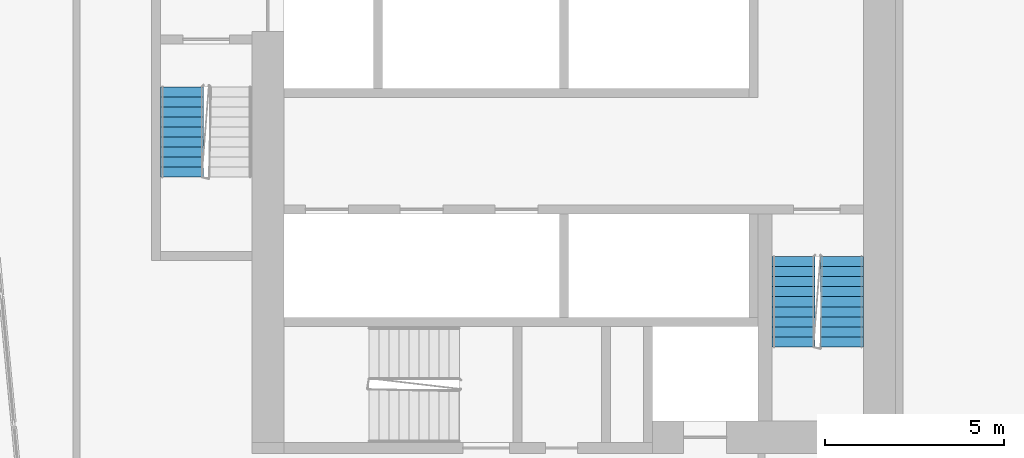
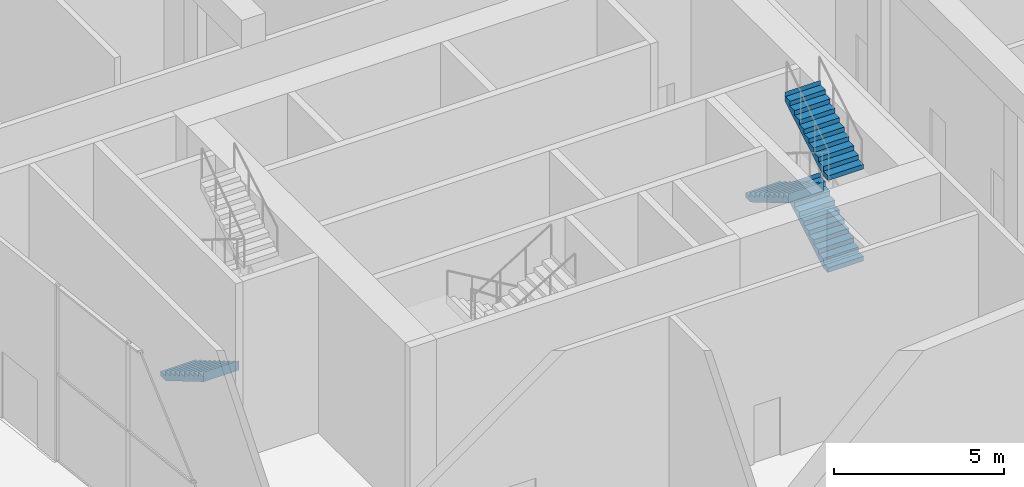
# One storey, part 18 of 25: 4 stair flights, 2 elements without a shape of their own.
"""IFC4 building model written with IfcOpenShell, lengths in metres."""

from ifc_helpers import new_model, si_unit, direction, frame, origin, place, context, subcontext, project, spatial, faceted_brep, material, type_object, element, aggregate, save


model = new_model("IFC4")

# Units and contexts
model_context = context("Model", 3, precision=1e-05, world=origin(), true_north=direction((0.0, 1.0)))
body_context = subcontext(model_context, "Body", "Model", "MODEL_VIEW")
ifc_project = project(units=[si_unit("LENGTHUNIT", "METRE"), si_unit("AREAUNIT", "SQUARE_METRE"), si_unit("VOLUMEUNIT", "CUBIC_METRE"), si_unit("PLANEANGLEUNIT", "RADIAN"), si_unit("MASSUNIT", "GRAM", prefix="KILO")], contexts=[model_context])

# Site, building, storey
site_placement = place(None, origin())
site = spatial("IfcSite", under=ifc_project, at=site_placement, CompositionType="ELEMENT")
building_placement = place(site_placement, origin())
building = spatial("IfcBuilding", under=site, at=building_placement, Name="Kajstack Hotel Tower", CompositionType="ELEMENT")
storey_placement = place(building_placement, frame((0.0, 0.0, 104.199951171875)))
storey = spatial("IfcBuildingStorey", under=building, at=storey_placement, Name="L22", CompositionType="ELEMENT", Elevation=104.199951171875)

# Stair, stair flight
ifc_material = material(Name="Concrete C40/50", Category="concrete")
stair_type = type_object("IfcStairType", Name="Exit stair 1200", PredefinedType="HALF_TURN_STAIR", material=ifc_material)
stair_1_placement = place(storey_placement, origin())
stair_1 = element("IfcStair", 1, at=stair_1_placement, inside=storey, type_object=stair_type, Name="L22 stair W1", PredefinedType="HALF_TURN_STAIR")
stair_flight_type = type_object("IfcStairFlightType", Name="Exit stair flight 1200", PredefinedType="STRAIGHT", material=ifc_material)
stair_flight_1_placement = place(storey_placement, frame((-33.449951171875, -5.25, 0.0), z_axis=(0.0, 0.0, 1.0), x_axis=(0.0, -1.0, 0.0)))
stair_flight_1 = element("IfcStairFlight", 2, at=stair_flight_1_placement, type_object=stair_flight_type, Name="W1 flight 1", NumberOfRisers=10, NumberOfTreads=9, PredefinedType="STRAIGHT", RiserHeight=0.165, TreadLength=0.28, context=body_context, shape_type="Brep", body=[
    faceted_brep([(0.295654296875, -0.60009765625, 0.0), (2.5205078125, -0.60009765625, 1.31103515625), (2.5205078125, -0.60009765625, 1.64990234375), (2.52001953125, -0.60009765625, 1.64990234375), (2.52001953125, -0.60009765625, 1.485107421875), (2.239990234375, -0.60009765625, 1.485107421875), (2.239990234375, -0.60009765625, 1.320068359375), (1.9599609375, -0.60009765625, 1.320068359375), (1.9599609375, -0.60009765625, 1.155029296875), (1.679931640625, -0.60009765625, 1.155029296875), (1.679931640625, -0.60009765625, 0.989990234375), (1.39990234375, -0.60009765625, 0.989990234375), (1.39990234375, -0.60009765625, 0.824951171875), (1.1201171875, -0.60009765625, 0.824951171875), (1.1201171875, -0.60009765625, 0.659912109375), (0.840087890625, -0.60009765625, 0.659912109375), (0.840087890625, -0.60009765625, 0.4951171875), (0.56005859375, -0.60009765625, 0.4951171875), (0.56005859375, -0.60009765625, 0.330078125), (0.280029296875, -0.60009765625, 0.330078125), (0.280029296875, -0.60009765625, 0.1650390625), (-0.00048828125, -0.60009765625, 0.1650390625), (-0.00048828125, -0.60009765625, 0.0), (-0.00048828125, 0.60009765625, 0.0), (-0.00048828125, 0.60009765625, 0.1650390625), (0.280029296875, 0.60009765625, 0.1650390625), (0.280029296875, 0.60009765625, 0.330078125), (0.56005859375, 0.60009765625, 0.330078125), (0.56005859375, 0.60009765625, 0.4951171875), (0.840087890625, 0.60009765625, 0.4951171875), (0.840087890625, 0.60009765625, 0.659912109375), (1.1201171875, 0.60009765625, 0.659912109375), (1.1201171875, 0.60009765625, 0.824951171875), (1.39990234375, 0.60009765625, 0.824951171875), (1.39990234375, 0.60009765625, 0.989990234375), (1.679931640625, 0.60009765625, 0.989990234375), (1.679931640625, 0.60009765625, 1.155029296875), (1.9599609375, 0.60009765625, 1.155029296875), (1.9599609375, 0.60009765625, 1.320068359375), (2.239990234375, 0.60009765625, 1.320068359375), (2.239990234375, 0.60009765625, 1.485107421875), (2.52001953125, 0.60009765625, 1.485107421875), (2.52001953125, 0.60009765625, 1.64990234375), (2.5205078125, 0.60009765625, 1.64990234375), (2.5205078125, 0.60009765625, 1.31103515625), (0.295654296875, 0.60009765625, 0.0), (-0.00048828125, -0.300048828125, 0.1650390625), (-0.00048828125, 0.0, 0.1650390625), (-0.00048828125, 0.300048828125, 0.1650390625), (-0.00048828125, 0.300048828125, 0.0), (-0.00048828125, 0.0, 0.0), (-0.00048828125, -0.300048828125, 0.0), (0.280029296875, -0.300048828125, 0.1650390625), (0.280029296875, 0.0, 0.1650390625), (0.280029296875, 0.300048828125, 0.1650390625), (0.280029296875, -0.300048828125, 0.330078125), (0.280029296875, 0.0, 0.330078125), (0.280029296875, 0.300048828125, 0.330078125), (0.56005859375, -0.300048828125, 0.330078125), (0.56005859375, 0.0, 0.330078125), (0.56005859375, 0.300048828125, 0.330078125), (0.56005859375, -0.300048828125, 0.4951171875), (0.56005859375, 0.0, 0.4951171875), (0.56005859375, 0.300048828125, 0.4951171875), (0.840087890625, -0.300048828125, 0.4951171875), (0.840087890625, 0.0, 0.4951171875), (0.840087890625, 0.300048828125, 0.4951171875), (0.840087890625, -0.300048828125, 0.659912109375), (0.840087890625, 0.0, 0.659912109375), (0.840087890625, 0.300048828125, 0.659912109375), (1.1201171875, -0.300048828125, 0.659912109375), (1.1201171875, 0.0, 0.659912109375), (1.1201171875, 0.300048828125, 0.659912109375), (1.1201171875, -0.300048828125, 0.824951171875), (1.1201171875, 0.0, 0.824951171875), (1.1201171875, 0.300048828125, 0.824951171875), (1.39990234375, -0.300048828125, 0.824951171875), (1.39990234375, 0.0, 0.824951171875), (1.39990234375, 0.300048828125, 0.824951171875), (1.39990234375, -0.300048828125, 0.989990234375), (1.39990234375, 0.0, 0.989990234375), (1.39990234375, 0.300048828125, 0.989990234375), (1.679931640625, -0.300048828125, 0.989990234375), (1.679931640625, 0.0, 0.989990234375), (1.679931640625, 0.300048828125, 0.989990234375), (1.679931640625, -0.300048828125, 1.155029296875), (1.679931640625, 0.0, 1.155029296875), (1.679931640625, 0.300048828125, 1.155029296875), (1.9599609375, -0.300048828125, 1.155029296875), (1.9599609375, 0.0, 1.155029296875), (1.9599609375, 0.300048828125, 1.155029296875), (1.9599609375, -0.300048828125, 1.320068359375), (1.9599609375, 0.0, 1.320068359375), (1.9599609375, 0.300048828125, 1.320068359375), (2.239990234375, -0.300048828125, 1.320068359375), (2.239990234375, 0.0, 1.320068359375), (2.239990234375, 0.300048828125, 1.320068359375), (2.239990234375, -0.300048828125, 1.485107421875), (2.239990234375, 0.0, 1.485107421875), (2.239990234375, 0.300048828125, 1.485107421875), (2.52001953125, -0.300048828125, 1.485107421875), (2.52001953125, 0.0, 1.485107421875), (2.52001953125, 0.300048828125, 1.485107421875), (2.52001953125, -0.300048828125, 1.64990234375), (2.52001953125, 0.0, 1.64990234375), (2.52001953125, 0.300048828125, 1.64990234375), (2.5205078125, -0.300048828125, 1.64990234375), (2.5205078125, 0.0, 1.64990234375), (2.5205078125, 0.300048828125, 1.64990234375), (2.5205078125, -0.300048828125, 1.31103515625), (2.5205078125, 0.0, 1.31103515625), (2.5205078125, 0.300048828125, 1.31103515625), (0.295654296875, -0.300048828125, 0.0), (0.295654296875, 0.0, 0.0), (0.295654296875, 0.300048828125, 0.0)], [[[0, 1, 2, 3, 4, 5, 6, 7, 8, 9, 10, 11, 12, 13, 14, 15, 16, 17, 18, 19, 20, 21, 22]], [[23, 24, 25, 26, 27, 28, 29, 30, 31, 32, 33, 34, 35, 36, 37, 38, 39, 40, 41, 42, 43, 44, 45]], [[21, 46, 47, 48, 24, 23, 49, 50, 51, 22]], [[20, 52, 53, 54, 25, 24, 48, 47, 46, 21]], [[19, 55, 56, 57, 26, 25, 54, 53, 52, 20]], [[18, 58, 59, 60, 27, 26, 57, 56, 55, 19]], [[17, 61, 62, 63, 28, 27, 60, 59, 58, 18]], [[16, 64, 65, 66, 29, 28, 63, 62, 61, 17]], [[15, 67, 68, 69, 30, 29, 66, 65, 64, 16]], [[14, 70, 71, 72, 31, 30, 69, 68, 67, 15]], [[13, 73, 74, 75, 32, 31, 72, 71, 70, 14]], [[12, 76, 77, 78, 33, 32, 75, 74, 73, 13]], [[11, 79, 80, 81, 34, 33, 78, 77, 76, 12]], [[10, 82, 83, 84, 35, 34, 81, 80, 79, 11]], [[9, 85, 86, 87, 36, 35, 84, 83, 82, 10]], [[8, 88, 89, 90, 37, 36, 87, 86, 85, 9]], [[7, 91, 92, 93, 38, 37, 90, 89, 88, 8]], [[6, 94, 95, 96, 39, 38, 93, 92, 91, 7]], [[5, 97, 98, 99, 40, 39, 96, 95, 94, 6]], [[4, 100, 101, 102, 41, 40, 99, 98, 97, 5]], [[3, 103, 104, 105, 42, 41, 102, 101, 100, 4]], [[2, 106, 107, 108, 43, 42, 105, 104, 103, 3]], [[1, 109, 110, 111, 44, 43, 108, 107, 106, 2]], [[0, 112, 113, 114, 45, 44, 111, 110, 109, 1]], [[22, 51, 50, 49, 23, 45, 114, 113, 112, 0]]]),
])
aggregate(stair_1, [stair_flight_1])

# Stair, stair flights
stair_2_placement = place(storey_placement, origin())
stair_2 = element("IfcStair", 3, at=stair_2_placement, inside=storey, type_object=stair_type, Name="L22 stair W2", PredefinedType="HALF_TURN_STAIR")
stair_flight_2_placement = place(storey_placement, frame((-15.0, -12.52001953125, 1.650146484375), z_axis=(0.0, 0.0, 1.0), x_axis=(0.0, 1.0, 0.0)))
stair_flight_2 = element("IfcStairFlight", 4, at=stair_flight_2_placement, type_object=stair_flight_type, Name="W2 flight 2", NumberOfRisers=10, NumberOfTreads=9, PredefinedType="STRAIGHT", RiserHeight=0.165, TreadLength=0.28, context=body_context, shape_type="Brep", body=[
    faceted_brep([(0.295654296875, -0.60009765625, 0.0), (2.5205078125, -0.60009765625, 1.31103515625), (2.5205078125, -0.60009765625, 1.64990234375), (2.52001953125, -0.60009765625, 1.64990234375), (2.52001953125, -0.60009765625, 1.485107421875), (2.239990234375, -0.60009765625, 1.485107421875), (2.239990234375, -0.60009765625, 1.320068359375), (1.9599609375, -0.60009765625, 1.320068359375), (1.9599609375, -0.60009765625, 1.155029296875), (1.679931640625, -0.60009765625, 1.155029296875), (1.679931640625, -0.60009765625, 0.989990234375), (1.39990234375, -0.60009765625, 0.989990234375), (1.39990234375, -0.60009765625, 0.824951171875), (1.1201171875, -0.60009765625, 0.824951171875), (1.1201171875, -0.60009765625, 0.659912109375), (0.840087890625, -0.60009765625, 0.659912109375), (0.840087890625, -0.60009765625, 0.4951171875), (0.56005859375, -0.60009765625, 0.4951171875), (0.56005859375, -0.60009765625, 0.330078125), (0.280029296875, -0.60009765625, 0.330078125), (0.280029296875, -0.60009765625, 0.1650390625), (-0.00048828125, -0.60009765625, 0.1650390625), (-0.00048828125, -0.60009765625, 0.0), (-0.00048828125, 0.60009765625, 0.0), (-0.00048828125, 0.60009765625, 0.1650390625), (0.280029296875, 0.60009765625, 0.1650390625), (0.280029296875, 0.60009765625, 0.330078125), (0.56005859375, 0.60009765625, 0.330078125), (0.56005859375, 0.60009765625, 0.4951171875), (0.840087890625, 0.60009765625, 0.4951171875), (0.840087890625, 0.60009765625, 0.659912109375), (1.1201171875, 0.60009765625, 0.659912109375), (1.1201171875, 0.60009765625, 0.824951171875), (1.39990234375, 0.60009765625, 0.824951171875), (1.39990234375, 0.60009765625, 0.989990234375), (1.679931640625, 0.60009765625, 0.989990234375), (1.679931640625, 0.60009765625, 1.155029296875), (1.9599609375, 0.60009765625, 1.155029296875), (1.9599609375, 0.60009765625, 1.320068359375), (2.239990234375, 0.60009765625, 1.320068359375), (2.239990234375, 0.60009765625, 1.485107421875), (2.52001953125, 0.60009765625, 1.485107421875), (2.52001953125, 0.60009765625, 1.64990234375), (2.5205078125, 0.60009765625, 1.64990234375), (2.5205078125, 0.60009765625, 1.31103515625), (0.295654296875, 0.60009765625, 0.0), (-0.00048828125, -0.300048828125, 0.1650390625), (-0.00048828125, 0.0, 0.1650390625), (-0.00048828125, 0.300048828125, 0.1650390625), (-0.00048828125, 0.300048828125, 0.0), (-0.00048828125, 0.0, 0.0), (-0.00048828125, -0.300048828125, 0.0), (0.280029296875, -0.300048828125, 0.1650390625), (0.280029296875, 0.0, 0.1650390625), (0.280029296875, 0.300048828125, 0.1650390625), (0.280029296875, -0.300048828125, 0.330078125), (0.280029296875, 0.0, 0.330078125), (0.280029296875, 0.300048828125, 0.330078125), (0.56005859375, -0.300048828125, 0.330078125), (0.56005859375, 0.0, 0.330078125), (0.56005859375, 0.300048828125, 0.330078125), (0.56005859375, -0.300048828125, 0.4951171875), (0.56005859375, 0.0, 0.4951171875), (0.56005859375, 0.300048828125, 0.4951171875), (0.840087890625, -0.300048828125, 0.4951171875), (0.840087890625, 0.0, 0.4951171875), (0.840087890625, 0.300048828125, 0.4951171875), (0.840087890625, -0.300048828125, 0.659912109375), (0.840087890625, 0.0, 0.659912109375), (0.840087890625, 0.300048828125, 0.659912109375), (1.1201171875, -0.300048828125, 0.659912109375), (1.1201171875, 0.0, 0.659912109375), (1.1201171875, 0.300048828125, 0.659912109375), (1.1201171875, -0.300048828125, 0.824951171875), (1.1201171875, 0.0, 0.824951171875), (1.1201171875, 0.300048828125, 0.824951171875), (1.39990234375, -0.300048828125, 0.824951171875), (1.39990234375, 0.0, 0.824951171875), (1.39990234375, 0.300048828125, 0.824951171875), (1.39990234375, -0.300048828125, 0.989990234375), (1.39990234375, 0.0, 0.989990234375), (1.39990234375, 0.300048828125, 0.989990234375), (1.679931640625, -0.300048828125, 0.989990234375), (1.679931640625, 0.0, 0.989990234375), (1.679931640625, 0.300048828125, 0.989990234375), (1.679931640625, -0.300048828125, 1.155029296875), (1.679931640625, 0.0, 1.155029296875), (1.679931640625, 0.300048828125, 1.155029296875), (1.9599609375, -0.300048828125, 1.155029296875), (1.9599609375, 0.0, 1.155029296875), (1.9599609375, 0.300048828125, 1.155029296875), (1.9599609375, -0.300048828125, 1.320068359375), (1.9599609375, 0.0, 1.320068359375), (1.9599609375, 0.300048828125, 1.320068359375), (2.239990234375, -0.300048828125, 1.320068359375), (2.239990234375, 0.0, 1.320068359375), (2.239990234375, 0.300048828125, 1.320068359375), (2.239990234375, -0.300048828125, 1.485107421875), (2.239990234375, 0.0, 1.485107421875), (2.239990234375, 0.300048828125, 1.485107421875), (2.52001953125, -0.300048828125, 1.485107421875), (2.52001953125, 0.0, 1.485107421875), (2.52001953125, 0.300048828125, 1.485107421875), (2.52001953125, -0.300048828125, 1.64990234375), (2.52001953125, 0.0, 1.64990234375), (2.52001953125, 0.300048828125, 1.64990234375), (2.5205078125, -0.300048828125, 1.64990234375), (2.5205078125, 0.0, 1.64990234375), (2.5205078125, 0.300048828125, 1.64990234375), (2.5205078125, -0.300048828125, 1.31103515625), (2.5205078125, 0.0, 1.31103515625), (2.5205078125, 0.300048828125, 1.31103515625), (0.295654296875, -0.300048828125, 0.0), (0.295654296875, 0.0, 0.0), (0.295654296875, 0.300048828125, 0.0)], [[[0, 1, 2, 3, 4, 5, 6, 7, 8, 9, 10, 11, 12, 13, 14, 15, 16, 17, 18, 19, 20, 21, 22]], [[23, 24, 25, 26, 27, 28, 29, 30, 31, 32, 33, 34, 35, 36, 37, 38, 39, 40, 41, 42, 43, 44, 45]], [[21, 46, 47, 48, 24, 23, 49, 50, 51, 22]], [[20, 52, 53, 54, 25, 24, 48, 47, 46, 21]], [[19, 55, 56, 57, 26, 25, 54, 53, 52, 20]], [[18, 58, 59, 60, 27, 26, 57, 56, 55, 19]], [[17, 61, 62, 63, 28, 27, 60, 59, 58, 18]], [[16, 64, 65, 66, 29, 28, 63, 62, 61, 17]], [[15, 67, 68, 69, 30, 29, 66, 65, 64, 16]], [[14, 70, 71, 72, 31, 30, 69, 68, 67, 15]], [[13, 73, 74, 75, 32, 31, 72, 71, 70, 14]], [[12, 76, 77, 78, 33, 32, 75, 74, 73, 13]], [[11, 79, 80, 81, 34, 33, 78, 77, 76, 12]], [[10, 82, 83, 84, 35, 34, 81, 80, 79, 11]], [[9, 85, 86, 87, 36, 35, 84, 83, 82, 10]], [[8, 88, 89, 90, 37, 36, 87, 86, 85, 9]], [[7, 91, 92, 93, 38, 37, 90, 89, 88, 8]], [[6, 94, 95, 96, 39, 38, 93, 92, 91, 7]], [[5, 97, 98, 99, 40, 39, 96, 95, 94, 6]], [[4, 100, 101, 102, 41, 40, 99, 98, 97, 5]], [[3, 103, 104, 105, 42, 41, 102, 101, 100, 4]], [[2, 106, 107, 108, 43, 42, 105, 104, 103, 3]], [[1, 109, 110, 111, 44, 43, 108, 107, 106, 2]], [[0, 112, 113, 114, 45, 44, 111, 110, 109, 1]], [[22, 51, 50, 49, 23, 45, 114, 113, 112, 0]]]),
])
stair_flight_3_placement = place(storey_placement, frame((-16.35009765625, -10.0, 3.300048828125), z_axis=(0.0, 0.0, 1.0), x_axis=(0.0, -1.0, 0.0)))
stair_flight_3 = element("IfcStairFlight", 5, at=stair_flight_3_placement, type_object=stair_flight_type, Name="W2 flight 3", NumberOfRisers=10, NumberOfTreads=9, PredefinedType="STRAIGHT", RiserHeight=0.165, TreadLength=0.28, context=body_context, shape_type="Brep", body=[
    faceted_brep([(0.295654296875, -0.60009765625, 0.0), (2.5205078125, -0.60009765625, 1.31103515625), (2.5205078125, -0.60009765625, 1.64990234375), (2.52001953125, -0.60009765625, 1.64990234375), (2.52001953125, -0.60009765625, 1.485107421875), (2.239990234375, -0.60009765625, 1.485107421875), (2.239990234375, -0.60009765625, 1.320068359375), (1.9599609375, -0.60009765625, 1.320068359375), (1.9599609375, -0.60009765625, 1.155029296875), (1.679931640625, -0.60009765625, 1.155029296875), (1.679931640625, -0.60009765625, 0.989990234375), (1.39990234375, -0.60009765625, 0.989990234375), (1.39990234375, -0.60009765625, 0.824951171875), (1.1201171875, -0.60009765625, 0.824951171875), (1.1201171875, -0.60009765625, 0.659912109375), (0.840087890625, -0.60009765625, 0.659912109375), (0.840087890625, -0.60009765625, 0.4951171875), (0.56005859375, -0.60009765625, 0.4951171875), (0.56005859375, -0.60009765625, 0.330078125), (0.280029296875, -0.60009765625, 0.330078125), (0.280029296875, -0.60009765625, 0.1650390625), (-0.00048828125, -0.60009765625, 0.1650390625), (-0.00048828125, -0.60009765625, 0.0), (-0.00048828125, 0.60009765625, 0.0), (-0.00048828125, 0.60009765625, 0.1650390625), (0.280029296875, 0.60009765625, 0.1650390625), (0.280029296875, 0.60009765625, 0.330078125), (0.56005859375, 0.60009765625, 0.330078125), (0.56005859375, 0.60009765625, 0.4951171875), (0.840087890625, 0.60009765625, 0.4951171875), (0.840087890625, 0.60009765625, 0.659912109375), (1.1201171875, 0.60009765625, 0.659912109375), (1.1201171875, 0.60009765625, 0.824951171875), (1.39990234375, 0.60009765625, 0.824951171875), (1.39990234375, 0.60009765625, 0.989990234375), (1.679931640625, 0.60009765625, 0.989990234375), (1.679931640625, 0.60009765625, 1.155029296875), (1.9599609375, 0.60009765625, 1.155029296875), (1.9599609375, 0.60009765625, 1.320068359375), (2.239990234375, 0.60009765625, 1.320068359375), (2.239990234375, 0.60009765625, 1.485107421875), (2.52001953125, 0.60009765625, 1.485107421875), (2.52001953125, 0.60009765625, 1.64990234375), (2.5205078125, 0.60009765625, 1.64990234375), (2.5205078125, 0.60009765625, 1.31103515625), (0.295654296875, 0.60009765625, 0.0), (-0.00048828125, -0.300048828125, 0.1650390625), (-0.00048828125, 0.0, 0.1650390625), (-0.00048828125, 0.300048828125, 0.1650390625), (-0.00048828125, 0.300048828125, 0.0), (-0.00048828125, 0.0, 0.0), (-0.00048828125, -0.300048828125, 0.0), (0.280029296875, -0.300048828125, 0.1650390625), (0.280029296875, 0.0, 0.1650390625), (0.280029296875, 0.300048828125, 0.1650390625), (0.280029296875, -0.300048828125, 0.330078125), (0.280029296875, 0.0, 0.330078125), (0.280029296875, 0.300048828125, 0.330078125), (0.56005859375, -0.300048828125, 0.330078125), (0.56005859375, 0.0, 0.330078125), (0.56005859375, 0.300048828125, 0.330078125), (0.56005859375, -0.300048828125, 0.4951171875), (0.56005859375, 0.0, 0.4951171875), (0.56005859375, 0.300048828125, 0.4951171875), (0.840087890625, -0.300048828125, 0.4951171875), (0.840087890625, 0.0, 0.4951171875), (0.840087890625, 0.300048828125, 0.4951171875), (0.840087890625, -0.300048828125, 0.659912109375), (0.840087890625, 0.0, 0.659912109375), (0.840087890625, 0.300048828125, 0.659912109375), (1.1201171875, -0.300048828125, 0.659912109375), (1.1201171875, 0.0, 0.659912109375), (1.1201171875, 0.300048828125, 0.659912109375), (1.1201171875, -0.300048828125, 0.824951171875), (1.1201171875, 0.0, 0.824951171875), (1.1201171875, 0.300048828125, 0.824951171875), (1.39990234375, -0.300048828125, 0.824951171875), (1.39990234375, 0.0, 0.824951171875), (1.39990234375, 0.300048828125, 0.824951171875), (1.39990234375, -0.300048828125, 0.989990234375), (1.39990234375, 0.0, 0.989990234375), (1.39990234375, 0.300048828125, 0.989990234375), (1.679931640625, -0.300048828125, 0.989990234375), (1.679931640625, 0.0, 0.989990234375), (1.679931640625, 0.300048828125, 0.989990234375), (1.679931640625, -0.300048828125, 1.155029296875), (1.679931640625, 0.0, 1.155029296875), (1.679931640625, 0.300048828125, 1.155029296875), (1.9599609375, -0.300048828125, 1.155029296875), (1.9599609375, 0.0, 1.155029296875), (1.9599609375, 0.300048828125, 1.155029296875), (1.9599609375, -0.300048828125, 1.320068359375), (1.9599609375, 0.0, 1.320068359375), (1.9599609375, 0.300048828125, 1.320068359375), (2.239990234375, -0.300048828125, 1.320068359375), (2.239990234375, 0.0, 1.320068359375), (2.239990234375, 0.300048828125, 1.320068359375), (2.239990234375, -0.300048828125, 1.485107421875), (2.239990234375, 0.0, 1.485107421875), (2.239990234375, 0.300048828125, 1.485107421875), (2.52001953125, -0.300048828125, 1.485107421875), (2.52001953125, 0.0, 1.485107421875), (2.52001953125, 0.300048828125, 1.485107421875), (2.52001953125, -0.300048828125, 1.64990234375), (2.52001953125, 0.0, 1.64990234375), (2.52001953125, 0.300048828125, 1.64990234375), (2.5205078125, -0.300048828125, 1.64990234375), (2.5205078125, 0.0, 1.64990234375), (2.5205078125, 0.300048828125, 1.64990234375), (2.5205078125, -0.300048828125, 1.31103515625), (2.5205078125, 0.0, 1.31103515625), (2.5205078125, 0.300048828125, 1.31103515625), (0.295654296875, -0.300048828125, 0.0), (0.295654296875, 0.0, 0.0), (0.295654296875, 0.300048828125, 0.0)], [[[0, 1, 2, 3, 4, 5, 6, 7, 8, 9, 10, 11, 12, 13, 14, 15, 16, 17, 18, 19, 20, 21, 22]], [[23, 24, 25, 26, 27, 28, 29, 30, 31, 32, 33, 34, 35, 36, 37, 38, 39, 40, 41, 42, 43, 44, 45]], [[21, 46, 47, 48, 24, 23, 49, 50, 51, 22]], [[20, 52, 53, 54, 25, 24, 48, 47, 46, 21]], [[19, 55, 56, 57, 26, 25, 54, 53, 52, 20]], [[18, 58, 59, 60, 27, 26, 57, 56, 55, 19]], [[17, 61, 62, 63, 28, 27, 60, 59, 58, 18]], [[16, 64, 65, 66, 29, 28, 63, 62, 61, 17]], [[15, 67, 68, 69, 30, 29, 66, 65, 64, 16]], [[14, 70, 71, 72, 31, 30, 69, 68, 67, 15]], [[13, 73, 74, 75, 32, 31, 72, 71, 70, 14]], [[12, 76, 77, 78, 33, 32, 75, 74, 73, 13]], [[11, 79, 80, 81, 34, 33, 78, 77, 76, 12]], [[10, 82, 83, 84, 35, 34, 81, 80, 79, 11]], [[9, 85, 86, 87, 36, 35, 84, 83, 82, 10]], [[8, 88, 89, 90, 37, 36, 87, 86, 85, 9]], [[7, 91, 92, 93, 38, 37, 90, 89, 88, 8]], [[6, 94, 95, 96, 39, 38, 93, 92, 91, 7]], [[5, 97, 98, 99, 40, 39, 96, 95, 94, 6]], [[4, 100, 101, 102, 41, 40, 99, 98, 97, 5]], [[3, 103, 104, 105, 42, 41, 102, 101, 100, 4]], [[2, 106, 107, 108, 43, 42, 105, 104, 103, 3]], [[1, 109, 110, 111, 44, 43, 108, 107, 106, 2]], [[0, 112, 113, 114, 45, 44, 111, 110, 109, 1]], [[22, 51, 50, 49, 23, 45, 114, 113, 112, 0]]]),
])
stair_flight_4_placement = place(storey_placement, frame((-15.0, -12.52001953125, 4.949951171875), z_axis=(0.0, 0.0, 1.0), x_axis=(0.0, 1.0, 0.0)))
stair_flight_4 = element("IfcStairFlight", 6, at=stair_flight_4_placement, type_object=stair_flight_type, Name="W2 flight 4", NumberOfRisers=10, NumberOfTreads=9, PredefinedType="STRAIGHT", RiserHeight=0.165, TreadLength=0.28, context=body_context, shape_type="Brep", body=[
    faceted_brep([(0.295654296875, -0.60009765625, 0.0), (2.5205078125, -0.60009765625, 1.31103515625), (2.5205078125, -0.60009765625, 1.64990234375), (2.52001953125, -0.60009765625, 1.64990234375), (2.52001953125, -0.60009765625, 1.485107421875), (2.239990234375, -0.60009765625, 1.485107421875), (2.239990234375, -0.60009765625, 1.320068359375), (1.9599609375, -0.60009765625, 1.320068359375), (1.9599609375, -0.60009765625, 1.155029296875), (1.679931640625, -0.60009765625, 1.155029296875), (1.679931640625, -0.60009765625, 0.989990234375), (1.39990234375, -0.60009765625, 0.989990234375), (1.39990234375, -0.60009765625, 0.824951171875), (1.1201171875, -0.60009765625, 0.824951171875), (1.1201171875, -0.60009765625, 0.659912109375), (0.840087890625, -0.60009765625, 0.659912109375), (0.840087890625, -0.60009765625, 0.4951171875), (0.56005859375, -0.60009765625, 0.4951171875), (0.56005859375, -0.60009765625, 0.330078125), (0.280029296875, -0.60009765625, 0.330078125), (0.280029296875, -0.60009765625, 0.1650390625), (-0.00048828125, -0.60009765625, 0.1650390625), (-0.00048828125, -0.60009765625, 0.0), (-0.00048828125, 0.60009765625, 0.0), (-0.00048828125, 0.60009765625, 0.1650390625), (0.280029296875, 0.60009765625, 0.1650390625), (0.280029296875, 0.60009765625, 0.330078125), (0.56005859375, 0.60009765625, 0.330078125), (0.56005859375, 0.60009765625, 0.4951171875), (0.840087890625, 0.60009765625, 0.4951171875), (0.840087890625, 0.60009765625, 0.659912109375), (1.1201171875, 0.60009765625, 0.659912109375), (1.1201171875, 0.60009765625, 0.824951171875), (1.39990234375, 0.60009765625, 0.824951171875), (1.39990234375, 0.60009765625, 0.989990234375), (1.679931640625, 0.60009765625, 0.989990234375), (1.679931640625, 0.60009765625, 1.155029296875), (1.9599609375, 0.60009765625, 1.155029296875), (1.9599609375, 0.60009765625, 1.320068359375), (2.239990234375, 0.60009765625, 1.320068359375), (2.239990234375, 0.60009765625, 1.485107421875), (2.52001953125, 0.60009765625, 1.485107421875), (2.52001953125, 0.60009765625, 1.64990234375), (2.5205078125, 0.60009765625, 1.64990234375), (2.5205078125, 0.60009765625, 1.31103515625), (0.295654296875, 0.60009765625, 0.0), (-0.00048828125, -0.300048828125, 0.1650390625), (-0.00048828125, 0.0, 0.1650390625), (-0.00048828125, 0.300048828125, 0.1650390625), (-0.00048828125, 0.300048828125, 0.0), (-0.00048828125, 0.0, 0.0), (-0.00048828125, -0.300048828125, 0.0), (0.280029296875, -0.300048828125, 0.1650390625), (0.280029296875, 0.0, 0.1650390625), (0.280029296875, 0.300048828125, 0.1650390625), (0.280029296875, -0.300048828125, 0.330078125), (0.280029296875, 0.0, 0.330078125), (0.280029296875, 0.300048828125, 0.330078125), (0.56005859375, -0.300048828125, 0.330078125), (0.56005859375, 0.0, 0.330078125), (0.56005859375, 0.300048828125, 0.330078125), (0.56005859375, -0.300048828125, 0.4951171875), (0.56005859375, 0.0, 0.4951171875), (0.56005859375, 0.300048828125, 0.4951171875), (0.840087890625, -0.300048828125, 0.4951171875), (0.840087890625, 0.0, 0.4951171875), (0.840087890625, 0.300048828125, 0.4951171875), (0.840087890625, -0.300048828125, 0.659912109375), (0.840087890625, 0.0, 0.659912109375), (0.840087890625, 0.300048828125, 0.659912109375), (1.1201171875, -0.300048828125, 0.659912109375), (1.1201171875, 0.0, 0.659912109375), (1.1201171875, 0.300048828125, 0.659912109375), (1.1201171875, -0.300048828125, 0.824951171875), (1.1201171875, 0.0, 0.824951171875), (1.1201171875, 0.300048828125, 0.824951171875), (1.39990234375, -0.300048828125, 0.824951171875), (1.39990234375, 0.0, 0.824951171875), (1.39990234375, 0.300048828125, 0.824951171875), (1.39990234375, -0.300048828125, 0.989990234375), (1.39990234375, 0.0, 0.989990234375), (1.39990234375, 0.300048828125, 0.989990234375), (1.679931640625, -0.300048828125, 0.989990234375), (1.679931640625, 0.0, 0.989990234375), (1.679931640625, 0.300048828125, 0.989990234375), (1.679931640625, -0.300048828125, 1.155029296875), (1.679931640625, 0.0, 1.155029296875), (1.679931640625, 0.300048828125, 1.155029296875), (1.9599609375, -0.300048828125, 1.155029296875), (1.9599609375, 0.0, 1.155029296875), (1.9599609375, 0.300048828125, 1.155029296875), (1.9599609375, -0.300048828125, 1.320068359375), (1.9599609375, 0.0, 1.320068359375), (1.9599609375, 0.300048828125, 1.320068359375), (2.239990234375, -0.300048828125, 1.320068359375), (2.239990234375, 0.0, 1.320068359375), (2.239990234375, 0.300048828125, 1.320068359375), (2.239990234375, -0.300048828125, 1.485107421875), (2.239990234375, 0.0, 1.485107421875), (2.239990234375, 0.300048828125, 1.485107421875), (2.52001953125, -0.300048828125, 1.485107421875), (2.52001953125, 0.0, 1.485107421875), (2.52001953125, 0.300048828125, 1.485107421875), (2.52001953125, -0.300048828125, 1.64990234375), (2.52001953125, 0.0, 1.64990234375), (2.52001953125, 0.300048828125, 1.64990234375), (2.5205078125, -0.300048828125, 1.64990234375), (2.5205078125, 0.0, 1.64990234375), (2.5205078125, 0.300048828125, 1.64990234375), (2.5205078125, -0.300048828125, 1.31103515625), (2.5205078125, 0.0, 1.31103515625), (2.5205078125, 0.300048828125, 1.31103515625), (0.295654296875, -0.300048828125, 0.0), (0.295654296875, 0.0, 0.0), (0.295654296875, 0.300048828125, 0.0)], [[[0, 1, 2, 3, 4, 5, 6, 7, 8, 9, 10, 11, 12, 13, 14, 15, 16, 17, 18, 19, 20, 21, 22]], [[23, 24, 25, 26, 27, 28, 29, 30, 31, 32, 33, 34, 35, 36, 37, 38, 39, 40, 41, 42, 43, 44, 45]], [[21, 46, 47, 48, 24, 23, 49, 50, 51, 22]], [[20, 52, 53, 54, 25, 24, 48, 47, 46, 21]], [[19, 55, 56, 57, 26, 25, 54, 53, 52, 20]], [[18, 58, 59, 60, 27, 26, 57, 56, 55, 19]], [[17, 61, 62, 63, 28, 27, 60, 59, 58, 18]], [[16, 64, 65, 66, 29, 28, 63, 62, 61, 17]], [[15, 67, 68, 69, 30, 29, 66, 65, 64, 16]], [[14, 70, 71, 72, 31, 30, 69, 68, 67, 15]], [[13, 73, 74, 75, 32, 31, 72, 71, 70, 14]], [[12, 76, 77, 78, 33, 32, 75, 74, 73, 13]], [[11, 79, 80, 81, 34, 33, 78, 77, 76, 12]], [[10, 82, 83, 84, 35, 34, 81, 80, 79, 11]], [[9, 85, 86, 87, 36, 35, 84, 83, 82, 10]], [[8, 88, 89, 90, 37, 36, 87, 86, 85, 9]], [[7, 91, 92, 93, 38, 37, 90, 89, 88, 8]], [[6, 94, 95, 96, 39, 38, 93, 92, 91, 7]], [[5, 97, 98, 99, 40, 39, 96, 95, 94, 6]], [[4, 100, 101, 102, 41, 40, 99, 98, 97, 5]], [[3, 103, 104, 105, 42, 41, 102, 101, 100, 4]], [[2, 106, 107, 108, 43, 42, 105, 104, 103, 3]], [[1, 109, 110, 111, 44, 43, 108, 107, 106, 2]], [[0, 112, 113, 114, 45, 44, 111, 110, 109, 1]], [[22, 51, 50, 49, 23, 45, 114, 113, 112, 0]]]),
])
aggregate(stair_2, [stair_flight_2, stair_flight_3, stair_flight_4])

save(model, "model.ifc")
